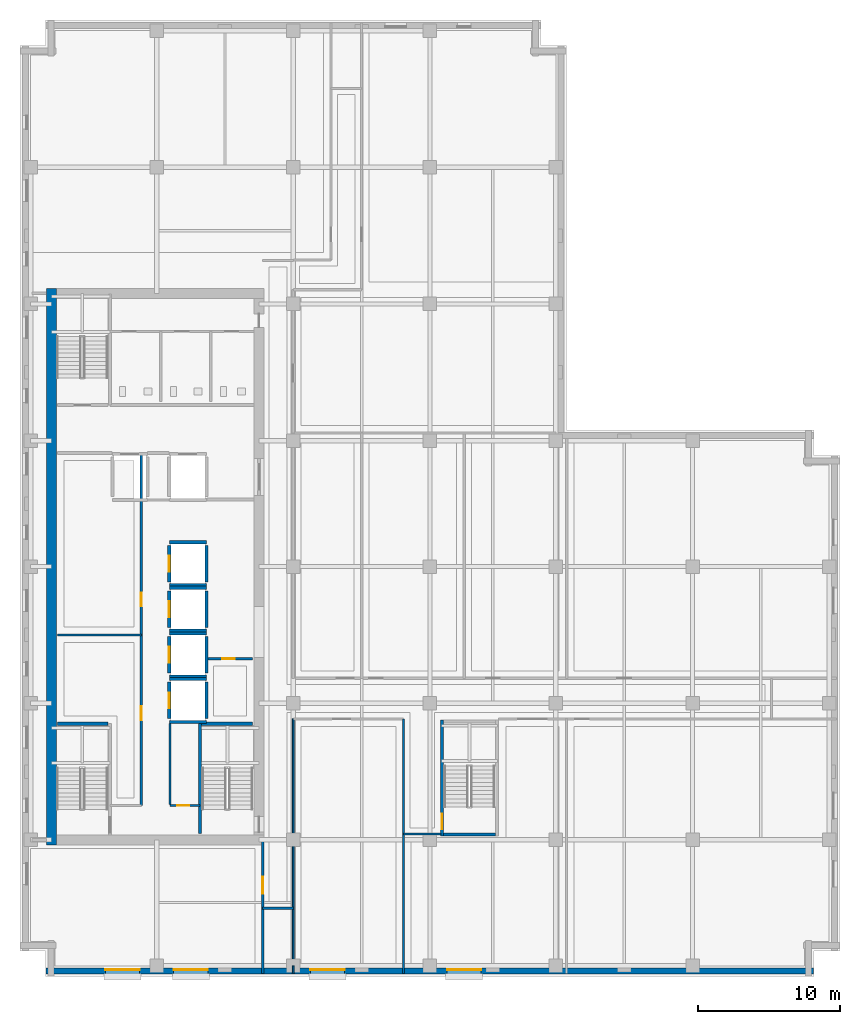
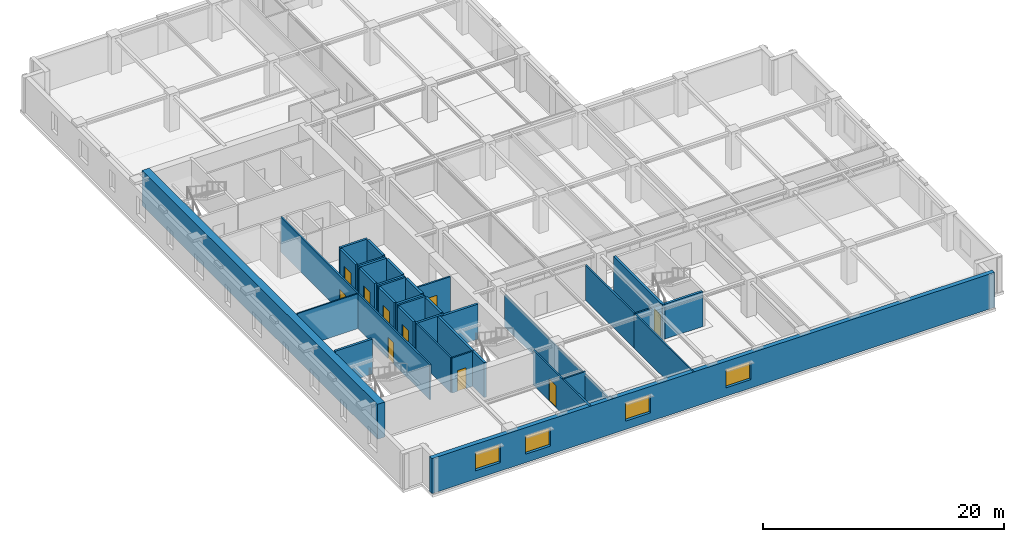
# One storey, part 4 of 13: 35 walls, 10 doors, 4 windows, 14 openings.
"""IFC4 building model written with IfcOpenShell, lengths in metres."""

from ifc_helpers import new_model, si_unit, direction, frame, frame_2d, origin, place, context, subcontext, project, spatial, rectangle, extrude, material, layer, layer_set, type_object, element, fill, save


model = new_model("IFC4")

# Units and contexts
model_context = context("Model", 3, precision=1e-05, world=origin(), true_north=direction((0.0, 1.0)))
body_context = subcontext(model_context, "Body", "Model", "MODEL_VIEW")
ifc_project = project(units=[si_unit("LENGTHUNIT", "METRE"), si_unit("AREAUNIT", "SQUARE_METRE"), si_unit("VOLUMEUNIT", "CUBIC_METRE"), si_unit("PLANEANGLEUNIT", "RADIAN"), si_unit("MASSUNIT", "GRAM", prefix="KILO")], contexts=[model_context])

# Site, building, storey
site_placement = place(None, origin())
site = spatial("IfcSite", under=ifc_project, at=site_placement, CompositionType="ELEMENT")
building_placement = place(site_placement, origin())
building = spatial("IfcBuilding", under=site, at=building_placement, Name="Norrvale University Quadrangle", CompositionType="ELEMENT")
storey_placement = place(building_placement, frame((0.0, 0.0, 175.0)))
storey = spatial("IfcBuildingStorey", under=building, at=storey_placement, Name="L44", CompositionType="ELEMENT", Elevation=175.0)

# Wall, openings, windows
ifc_material_1 = material(Name="Buff Norman Clay Brick Masonry", Category="masonry")
ifc_layer_1 = layer(ifc_material_1, 0.419921875, Name="Buff Norman Clay Brick Masonry")
ifc_layer_set_1 = layer_set([ifc_layer_1], Name="Buff Norman Clay Brick Masonry")
wall_type_1 = type_object("IfcWallType", Name="Wall Buff Brick 420", PredefinedType="SOLIDWALL", material=ifc_layer_set_1)
wall_1_placement = place(storey_placement, frame((1.840087890625, 0.389892578125, 0.0), z_axis=(0.0, 0.0, 1.0), x_axis=(1.0, 0.0, 0.0)))
wall_1 = element("IfcWall", 1, at=wall_1_placement, inside=storey, type_object=wall_type_1, Name="Exterior Brick Facade Wall L44-01.1", PredefinedType="SOLIDWALL", context=body_context, shape_type="SweptSolid", body=[
    extrude(rectangle(XDim=53.919921875, YDim=0.419921875, at=frame_2d((26.9599609375, 0.0))), origin(), (0.0, 0.0, 1.0), 3.5400390625),
])
opening_1_placement = place(wall_1_placement, frame((4.159912109375, 0.0, 0.85009765625)))
opening_1 = element("IfcOpeningElement", 2, at=opening_1_placement, cuts=wall_1, Name="Opening W02", PredefinedType="OPENING", context=body_context, shape_type="SweptSolid", body=[
    extrude(rectangle(XDim=2.39990234375, YDim=1.85009765625, at=frame_2d((1.199951171875, 0.925048828125))), frame((0.0, 0.221923828125, 0.0), z_axis=(0.0, -1.0, 0.0), x_axis=(1.0, 0.0, 0.0)), (0.0, 0.0, 1.0), 0.44384765625),
])
opening_2_placement = place(wall_1_placement, frame((8.9599609375, 0.0, 0.85009765625)))
opening_2 = element("IfcOpeningElement", 3, at=opening_2_placement, cuts=wall_1, Name="Opening W02", PredefinedType="OPENING", context=body_context, shape_type="SweptSolid", body=[
    extrude(rectangle(XDim=2.39990234375, YDim=1.85009765625, at=frame_2d((1.199951171875, 0.925048828125))), frame((0.0, 0.221923828125, 0.0), z_axis=(0.0, -1.0, 0.0), x_axis=(1.0, 0.0, 0.0)), (0.0, 0.0, 1.0), 0.44384765625),
])
opening_3_placement = place(wall_1_placement, frame((18.56005859375, 0.0, 0.85009765625)))
opening_3 = element("IfcOpeningElement", 4, at=opening_3_placement, cuts=wall_1, Name="Opening W02", PredefinedType="OPENING", context=body_context, shape_type="SweptSolid", body=[
    extrude(rectangle(XDim=2.39990234375, YDim=1.85009765625, at=frame_2d((1.199951171875, 0.925048828125))), frame((0.0, 0.221923828125, 0.0), z_axis=(0.0, -1.0, 0.0), x_axis=(1.0, 0.0, 0.0)), (0.0, 0.0, 1.0), 0.44384765625),
])
opening_4_placement = place(wall_1_placement, frame((28.159912109375, 0.0, 0.85009765625)))
opening_4 = element("IfcOpeningElement", 5, at=opening_4_placement, cuts=wall_1, Name="Opening W02", PredefinedType="OPENING", context=body_context, shape_type="SweptSolid", body=[
    extrude(rectangle(XDim=2.39990234375, YDim=1.85009765625, at=frame_2d((1.199951171875, 0.925048828125))), frame((0.0, 0.221923828125, 0.0), z_axis=(0.0, -1.0, 0.0), x_axis=(1.0, 0.0, 0.0)), (0.0, 0.0, 1.0), 0.44384765625),
])
ifc_material_2 = material(Name="Triple Low-E Argon Glazing", Category="glass")
window_type = type_object("IfcWindowType", Name="Window Academic 2400x2300", PartitioningType="TRIPLE_PANEL_VERTICAL", PredefinedType="WINDOW", material=ifc_material_2)
window_1_placement = place(opening_1_placement, origin())
window_1 = element("IfcWindow", 6, at=window_1_placement, inside=storey, type_object=window_type, Name="Window Academic 2400x2300 WIN-L44-E01-1-01", OverallHeight=1.85009765625, OverallWidth=2.39990234375, PartitioningType="TRIPLE_PANEL_VERTICAL", PredefinedType="WINDOW", context=body_context, shape_type="SweptSolid", body=[
    extrude(rectangle(XDim=2.39990234375, YDim=1.85009765625, at=frame_2d((1.199951171875, 0.925048828125))), frame((0.0, 0.110107421875, 0.0), z_axis=(0.0, -1.0, 0.0), x_axis=(1.0, 0.0, 0.0)), (0.0, 0.0, 1.0), 0.06005859375),
])
fill(opening_1, window_1)
window_2_placement = place(opening_2_placement, origin())
window_2 = element("IfcWindow", 7, at=window_2_placement, inside=storey, type_object=window_type, Name="Window Academic 2400x2300 WIN-L44-E01-1-02", OverallHeight=1.85009765625, OverallWidth=2.39990234375, PartitioningType="TRIPLE_PANEL_VERTICAL", PredefinedType="WINDOW", context=body_context, shape_type="SweptSolid", body=[
    extrude(rectangle(XDim=2.39990234375, YDim=1.85009765625, at=frame_2d((1.199951171875, 0.925048828125))), frame((0.0, 0.110107421875, 0.0), z_axis=(0.0, -1.0, 0.0), x_axis=(1.0, 0.0, 0.0)), (0.0, 0.0, 1.0), 0.06005859375),
])
fill(opening_2, window_2)
window_3_placement = place(opening_3_placement, origin())
window_3 = element("IfcWindow", 8, at=window_3_placement, inside=storey, type_object=window_type, Name="Window Academic 2400x2300 WIN-L44-E01-1-03", OverallHeight=1.85009765625, OverallWidth=2.39990234375, PartitioningType="TRIPLE_PANEL_VERTICAL", PredefinedType="WINDOW", context=body_context, shape_type="SweptSolid", body=[
    extrude(rectangle(XDim=2.39990234375, YDim=1.85009765625, at=frame_2d((1.199951171875, 0.925048828125))), frame((0.0, 0.110107421875, 0.0), z_axis=(0.0, -1.0, 0.0), x_axis=(1.0, 0.0, 0.0)), (0.0, 0.0, 1.0), 0.06005859375),
])
fill(opening_3, window_3)
window_4_placement = place(opening_4_placement, origin())
window_4 = element("IfcWindow", 9, at=window_4_placement, inside=storey, type_object=window_type, Name="Window Academic 2400x2300 WIN-L44-E01-1-04", OverallHeight=1.85009765625, OverallWidth=2.39990234375, PartitioningType="TRIPLE_PANEL_VERTICAL", PredefinedType="WINDOW", context=body_context, shape_type="SweptSolid", body=[
    extrude(rectangle(XDim=2.39990234375, YDim=1.85009765625, at=frame_2d((1.199951171875, 0.925048828125))), frame((0.0, 0.110107421875, 0.0), z_axis=(0.0, -1.0, 0.0), x_axis=(1.0, 0.0, 0.0)), (0.0, 0.0, 1.0), 0.06005859375),
])
fill(opening_4, window_4)

# Walls
ifc_material_3 = material(Name="Concrete C60/75", Category="concrete")
ifc_layer_2 = layer(ifc_material_3, 0.699951171875, Name="Concrete C60/75")
ifc_layer_set_2 = layer_set([ifc_layer_2], Name="Concrete C60/75")
wall_type_2 = type_object("IfcWallType", Name="Wall Core 700", PredefinedType="SHEAR", material=ifc_layer_set_2)
wall_2_placement = place(storey_placement, frame((2.199951171875, 9.25, 0.0), z_axis=(0.0, 0.0, 1.0), x_axis=(0.0, 1.0, 0.0)))
element("IfcWall", 10, at=wall_2_placement, inside=storey, type_object=wall_type_2, Name="Tower Core Shear Wall L44-W", PredefinedType="SHEAR", context=body_context, shape_type="SweptSolid", body=[
    extrude(rectangle(XDim=39.10009765625, YDim=0.699951171875, at=frame_2d((19.550048828125, 0.0))), origin(), (0.0, 0.0, 1.0), 3.5400390625),
])
ifc_material_4 = material(Name="Standard Academic Gypsum Partition")
ifc_layer_3 = layer(ifc_material_4, 0.125, Name="Standard Academic Gypsum Partition")
ifc_layer_set_3 = layer_set([ifc_layer_3], Name="Standard Academic Gypsum Partition")
wall_type_3 = type_object("IfcWallType", Name="Wall Gypsum Academic 125", PredefinedType="PARTITIONING", material=ifc_layer_set_3)
wall_3_placement = place(storey_placement, frame((2.64990234375, 24.0, 0.0), z_axis=(0.0, 0.0, 1.0), x_axis=(1.0, 0.0, 0.0)))
element("IfcWall", 11, at=wall_3_placement, inside=storey, type_object=wall_type_3, Name="Interior Partition WL-L44-REC-M", PredefinedType="PARTITIONING", context=body_context, shape_type="SweptSolid", body=[
    extrude(rectangle(XDim=5.8701171875, YDim=0.125, at=frame_2d((2.93505859375, 0.0))), origin(), (0.0, 0.0, 1.0), 3.5400390625),
])
wall_4_placement = place(storey_placement, frame((19.199951171875, 0.219970703125, 0.0), z_axis=(0.0, 0.0, 1.0), x_axis=(0.0, 1.0, 0.0)))
element("IfcWall", 12, at=wall_4_placement, inside=storey, type_object=wall_type_3, Name="Interior Partition WL-L44-SE-W0", PredefinedType="PARTITIONING", context=body_context, shape_type="SweptSolid", body=[
    extrude(rectangle(XDim=0.530029296875, YDim=0.125, at=frame_2d((0.26513671875, 0.0))), origin(), (0.0, 0.0, 1.0), 3.5400390625),
])
wall_5_placement = place(storey_placement, frame((19.199951171875, 0.75, 0.0), z_axis=(0.0, 0.0, 1.0), x_axis=(0.0, 1.0, 0.0)))
element("IfcWall", 13, at=wall_5_placement, inside=storey, type_object=wall_type_3, Name="Interior Partition WL-L44-SE-W0-B2", PredefinedType="PARTITIONING", context=body_context, shape_type="SweptSolid", body=[
    extrude(rectangle(XDim=17.35009765625, YDim=0.125, at=frame_2d((8.675048828125, 0.0))), origin(), (0.0, 0.0, 1.0), 3.23193359375),
])
wall_6_placement = place(storey_placement, frame((26.949951171875, 0.219970703125, 0.0), z_axis=(0.0, 0.0, 1.0), x_axis=(0.0, 1.0, 0.0)))
element("IfcWall", 14, at=wall_6_placement, inside=storey, type_object=wall_type_3, Name="Interior Partition WL-L44-SEP1A", PredefinedType="PARTITIONING", context=body_context, shape_type="SweptSolid", body=[
    extrude(rectangle(XDim=9.780029296875, YDim=0.125, at=frame_2d((4.89013671875, 0.0))), origin(), (0.0, 0.0, 1.0), 3.5400390625),
])

# Wall, opening, door
ifc_material_5 = material(Name="Fire-Rated Gypsum Stud Partition")
ifc_layer_4 = layer(ifc_material_5, 0.14990234375, Name="Fire-Rated Gypsum Stud Partition")
ifc_layer_set_4 = layer_set([ifc_layer_4], Name="Fire-Rated Gypsum Stud Partition")
wall_type_4 = type_object("IfcWallType", Name="Wall Gypsum Corridor 150", PredefinedType="PARTITIONING", material=ifc_layer_set_4)
wall_7_placement = place(storey_placement, frame((10.550048828125, 12.02001953125, 0.0), z_axis=(0.0, 0.0, 1.0), x_axis=(1.0, 0.0, 0.0)))
wall_7 = element("IfcWall", 15, at=wall_7_placement, inside=storey, type_object=wall_type_4, Name="Interior Partition WL-L44-SC-NR", PredefinedType="PARTITIONING", context=body_context, shape_type="SweptSolid", body=[
    extrude(rectangle(XDim=2.079833984375, YDim=0.14990234375, at=frame_2d((1.0400390625, 0.0))), origin(), (0.0, 0.0, 1.0), 3.5400390625),
])
opening_5_placement = place(wall_7_placement, frame((0.5, 0.0, 0.0)))
opening_5 = element("IfcOpeningElement", 16, at=opening_5_placement, cuts=wall_7, Name="Opening D10", PredefinedType="OPENING", context=body_context, shape_type="SweptSolid", body=[
    extrude(rectangle(XDim=0.85009765625, YDim=2.10009765625, at=frame_2d((0.425048828125, 1.050048828125))), frame((0.0, 0.0869140625, 0.0), z_axis=(0.0, -1.0, 0.0), x_axis=(1.0, 0.0, 0.0)), (0.0, 0.0, 1.0), 0.173828125),
])
ifc_material_6 = material(Name="Hollow Steel 350W Riser Fire Door", Category="steel")
door_type_1 = type_object("IfcDoorType", Name="Door Riser 850x2100", OperationType="NOTDEFINED", PredefinedType="DOOR", material=ifc_material_6)
door_1_placement = place(opening_5_placement, origin())
door_1 = element("IfcDoor", 17, at=door_1_placement, inside=storey, type_object=door_type_1, Name="Door Riser 850x2100 DR-L44-IDF", OperationType="SINGLE_SWING_RIGHT", OverallHeight=2.10009765625, OverallWidth=0.85009765625, PredefinedType="DOOR", context=body_context, shape_type="SweptSolid", body=[
    extrude(rectangle(XDim=0.85009765625, YDim=2.10009765625, at=frame_2d((0.425048828125, 1.050048828125))), frame((0.0, 0.02490234375, 0.0), z_axis=(0.0, -1.0, 0.0), x_axis=(1.0, 0.0, 0.0)), (0.0, 0.0, 1.0), 0.050048828125),
])
fill(opening_5, door_1)

# Wall
wall_8_placement = place(storey_placement, frame((10.550048828125, 12.094970703125, 0.0), z_axis=(0.0, 0.0, 1.0), x_axis=(0.0, 1.0, 0.0)))
element("IfcWall", 18, at=wall_8_placement, inside=storey, type_object=wall_type_4, Name="Interior Partition WL-L44-SC-WR", PredefinedType="PARTITIONING", context=body_context, shape_type="SweptSolid", body=[
    extrude(rectangle(XDim=5.679931640625, YDim=0.14990234375, at=frame_2d((2.83984375, 0.0))), origin(), (0.0, 0.0, 1.0), 3.5400390625),
])

# Wall, opening, door
wall_9_placement = place(storey_placement, frame((13.22509765625, 22.320068359375, 0.0), z_axis=(0.0, 0.0, 1.0), x_axis=(1.0, 0.0, 0.0)))
wall_9 = element("IfcWall", 19, at=wall_9_placement, inside=storey, type_object=wall_type_4, Name="Interior Partition WL-L44-JAN-N", PredefinedType="PARTITIONING", context=body_context, shape_type="SweptSolid", body=[
    extrude(rectangle(XDim=3.119873046875, YDim=0.14990234375, at=frame_2d((1.56005859375, 0.0))), origin(), (0.0, 0.0, 1.0), 3.5400390625),
])
opening_6_placement = place(wall_9_placement, frame((1.0, 0.0, 0.0)))
opening_6 = element("IfcOpeningElement", 20, at=opening_6_placement, cuts=wall_9, Name="Opening D10", PredefinedType="OPENING", context=body_context, shape_type="SweptSolid", body=[
    extrude(rectangle(XDim=0.85009765625, YDim=2.10009765625, at=frame_2d((0.425048828125, 1.050048828125))), frame((0.0, 0.0869140625, 0.0), z_axis=(0.0, -1.0, 0.0), x_axis=(1.0, 0.0, 0.0)), (0.0, 0.0, 1.0), 0.173828125),
])
door_2_placement = place(opening_6_placement, origin())
door_2 = element("IfcDoor", 21, at=door_2_placement, inside=storey, type_object=door_type_1, Name="Door Riser 850x2100 DR-L44-JAN", OperationType="SINGLE_SWING_LEFT", OverallHeight=2.10009765625, OverallWidth=0.85009765625, PredefinedType="DOOR", context=body_context, shape_type="SweptSolid", body=[
    extrude(rectangle(XDim=0.85009765625, YDim=2.10009765625, at=frame_2d((0.425048828125, 1.050048828125))), frame((0.0, 0.02490234375, 0.0), z_axis=(0.0, -1.0, 0.0), x_axis=(1.0, 0.0, 0.0)), (0.0, 0.0, 1.0), 0.050048828125),
])
fill(opening_6, door_2)

# Wall, openings, doors
wall_10_placement = place(storey_placement, frame((8.52001953125, 12.02001953125, 0.0), z_axis=(0.0, 0.0, 1.0), x_axis=(0.0, 1.0, 0.0)))
wall_10 = element("IfcWall", 22, at=wall_10_placement, inside=storey, type_object=wall_type_4, Name="Interior Partition WL-L44-REC-E", PredefinedType="PARTITIONING", context=body_context, shape_type="SweptSolid", body=[
    extrude(rectangle(XDim=24.760009765625, YDim=0.14990234375, at=frame_2d((12.3798828125, 0.0))), origin(), (0.0, 0.0, 1.0), 3.5400390625),
])
opening_7_placement = place(wall_10_placement, frame((6.0, 0.0, 0.0)))
opening_7 = element("IfcOpeningElement", 23, at=opening_7_placement, cuts=wall_10, Name="Opening D07", PredefinedType="OPENING", context=body_context, shape_type="SweptSolid", body=[
    extrude(rectangle(XDim=0.949951171875, YDim=2.14990234375, at=frame_2d((0.47509765625, 1.074951171875))), frame((0.0, 0.0869140625, 0.0), z_axis=(0.0, -1.0, 0.0), x_axis=(1.0, 0.0, 0.0)), (0.0, 0.0, 1.0), 0.173828125),
])
opening_8_placement = place(wall_10_placement, frame((14.0, 0.0, 0.0)))
opening_8 = element("IfcOpeningElement", 24, at=opening_8_placement, cuts=wall_10, Name="Opening D07", PredefinedType="OPENING", context=body_context, shape_type="SweptSolid", body=[
    extrude(rectangle(XDim=0.949951171875, YDim=2.14990234375, at=frame_2d((0.47509765625, 1.074951171875))), frame((0.0, 0.0869140625, 0.0), z_axis=(0.0, -1.0, 0.0), x_axis=(1.0, 0.0, 0.0)), (0.0, 0.0, 1.0), 0.173828125),
])
ifc_material_7 = material(Name="Solid-Core Maple Door", Category="wood")
door_type_2 = type_object("IfcDoorType", Name="Door Office 950x2150", OperationType="NOTDEFINED", PredefinedType="DOOR", material=ifc_material_7)
door_3_placement = place(opening_7_placement, origin())
door_3 = element("IfcDoor", 25, at=door_3_placement, inside=storey, type_object=door_type_2, Name="Door Office 950x2150 DR-L44-REC1", OperationType="SINGLE_SWING_LEFT", OverallHeight=2.14990234375, OverallWidth=0.949951171875, PredefinedType="DOOR", context=body_context, shape_type="SweptSolid", body=[
    extrude(rectangle(XDim=0.949951171875, YDim=2.14990234375, at=frame_2d((0.47509765625, 1.074951171875))), frame((0.0, 0.02490234375, 0.0), z_axis=(0.0, -1.0, 0.0), x_axis=(1.0, 0.0, 0.0)), (0.0, 0.0, 1.0), 0.050048828125),
])
fill(opening_7, door_3)
door_4_placement = place(opening_8_placement, origin())
door_4 = element("IfcDoor", 26, at=door_4_placement, inside=storey, type_object=door_type_2, Name="Door Office 950x2150 DR-L44-REC2", OperationType="SINGLE_SWING_RIGHT", OverallHeight=2.14990234375, OverallWidth=0.949951171875, PredefinedType="DOOR", context=body_context, shape_type="SweptSolid", body=[
    extrude(rectangle(XDim=0.949951171875, YDim=2.14990234375, at=frame_2d((0.47509765625, 1.074951171875))), frame((0.0, 0.02490234375, 0.0), z_axis=(0.0, -1.0, 0.0), x_axis=(1.0, 0.0, 0.0)), (0.0, 0.0, 1.0), 0.050048828125),
])
fill(opening_8, door_4)

# Wall
wall_11_placement = place(storey_placement, frame((17.050048828125, 4.800048828125, 0.0), z_axis=(0.0, 0.0, 1.0), x_axis=(1.0, 0.0, 0.0)))
element("IfcWall", 27, at=wall_11_placement, inside=storey, type_object=wall_type_4, Name="Interior Partition WL-L44-CSP-S", PredefinedType="PARTITIONING", context=body_context, shape_type="SweptSolid", body=[
    extrude(rectangle(XDim=2.14990234375, YDim=0.14990234375, at=frame_2d((1.074951171875, 0.0))), origin(), (0.0, 0.0, 1.0), 3.5400390625),
])

# Wall, opening, door
wall_12_placement = place(storey_placement, frame((17.050048828125, 0.219970703125, 0.0), z_axis=(0.0, 0.0, 1.0), x_axis=(0.0, 1.0, 0.0)))
wall_12 = element("IfcWall", 28, at=wall_12_placement, inside=storey, type_object=wall_type_4, Name="Interior Partition WL-L44-SW-E", PredefinedType="PARTITIONING", context=body_context, shape_type="SweptSolid", body=[
    extrude(rectangle(XDim=9.380126953125, YDim=0.14990234375, at=frame_2d((4.68994140625, 0.0))), origin(), (0.0, 0.0, 1.0), 3.5400390625),
])
opening_9_placement = place(wall_12_placement, frame((5.580078125, 0.0, 0.0)))
opening_9 = element("IfcOpeningElement", 29, at=opening_9_placement, cuts=wall_12, Name="Opening D05", PredefinedType="OPENING", context=body_context, shape_type="SweptSolid", body=[
    extrude(rectangle(XDim=1.199951171875, YDim=2.199951171875, at=frame_2d((0.60009765625, 1.10009765625))), frame((0.0, 0.0869140625, 0.0), z_axis=(0.0, -1.0, 0.0), x_axis=(1.0, 0.0, 0.0)), (0.0, 0.0, 1.0), 0.173828125),
])
ifc_material_8 = material(Name="Acoustic Oak Classroom Door", Category="wood")
door_type_3 = type_object("IfcDoorType", Name="Door Classroom 1200x2200", OperationType="NOTDEFINED", PredefinedType="DOOR", material=ifc_material_8)
door_5_placement = place(opening_9_placement, origin())
door_5 = element("IfcDoor", 30, at=door_5_placement, inside=storey, type_object=door_type_3, Name="Door Classroom 1200x2200 DR-L44-SW1", OperationType="SINGLE_SWING_LEFT", OverallHeight=2.199951171875, OverallWidth=1.199951171875, PredefinedType="DOOR", context=body_context, shape_type="SweptSolid", body=[
    extrude(rectangle(XDim=1.199951171875, YDim=2.199951171875, at=frame_2d((0.60009765625, 1.10009765625))), frame((0.0, 0.02490234375, 0.0), z_axis=(0.0, -1.0, 0.0), x_axis=(1.0, 0.0, 0.0)), (0.0, 0.0, 1.0), 0.050048828125),
])
fill(opening_9, door_5)

# Walls
wall_13_placement = place(storey_placement, frame((26.949951171875, 10.0, 0.0), z_axis=(0.0, 0.0, 1.0), x_axis=(0.0, 1.0, 0.0)))
element("IfcWall", 31, at=wall_13_placement, inside=storey, type_object=wall_type_4, Name="Interior Partition WL-L44-SEP1B", PredefinedType="PARTITIONING", context=body_context, shape_type="SweptSolid", body=[
    extrude(rectangle(XDim=8.10009765625, YDim=0.14990234375, at=frame_2d((4.050048828125, 0.0))), origin(), (0.0, 0.0, 1.0), 3.5400390625),
])
wall_14_placement = place(storey_placement, frame((26.949951171875, 10.0, 0.0), z_axis=(0.0, 0.0, 1.0), x_axis=(1.0, 0.0, 0.0)))
element("IfcWall", 32, at=wall_14_placement, inside=storey, type_object=wall_type_4, Name="Interior Partition WL-L44-SEP1C", PredefinedType="PARTITIONING", context=body_context, shape_type="SweptSolid", body=[
    extrude(rectangle(XDim=2.630126953125, YDim=0.14990234375, at=frame_2d((1.31494140625, 0.0))), origin(), (0.0, 0.0, 1.0), 3.5400390625),
])
ifc_material_9 = material(Name="Concrete Blockwork 20 MPa Fire Shaft", Category="masonry")
ifc_layer_5 = layer(ifc_material_9, 0.219970703125, Name="Concrete Blockwork 20 MPa Fire Shaft")
ifc_layer_set_5 = layer_set([ifc_layer_5], Name="Concrete Blockwork 20 MPa Fire Shaft")
wall_type_5 = type_object("IfcWallType", Name="Wall Shaft 220", PredefinedType="SOLIDWALL", material=ifc_layer_set_5)
wall_15_placement = place(storey_placement, frame((2.64990234375, 17.760009765625, 0.0), z_axis=(0.0, 0.0, 1.0), x_axis=(1.0, 0.0, 0.0)))
element("IfcWall", 33, at=wall_15_placement, inside=storey, type_object=wall_type_5, Name="Stair ST-01 North Shaft Wall L44", PredefinedType="SOLIDWALL", context=body_context, shape_type="SweptSolid", body=[
    extrude(rectangle(XDim=3.550048828125, YDim=0.219970703125, at=frame_2d((1.77490234375, 0.0))), origin(), (0.0, 0.0, 1.0), 3.5400390625),
])
wall_16_placement = place(storey_placement, frame((12.639892578125, 10.050048828125, 0.0), z_axis=(0.0, 0.0, 1.0), x_axis=(0.0, 1.0, 0.0)))
element("IfcWall", 34, at=wall_16_placement, inside=storey, type_object=wall_type_5, Name="Stair ST-03 West Shaft Wall L44", PredefinedType="SOLIDWALL", context=body_context, shape_type="SweptSolid", body=[
    extrude(rectangle(XDim=7.7099609375, YDim=0.219970703125, at=frame_2d((3.85498046875, 0.0))), origin(), (0.0, 0.0, 1.0), 3.5400390625),
])
wall_17_placement = place(storey_placement, frame((12.75, 17.760009765625, 0.0), z_axis=(0.0, 0.0, 1.0), x_axis=(1.0, 0.0, 0.0)))
element("IfcWall", 35, at=wall_17_placement, inside=storey, type_object=wall_type_5, Name="Stair ST-03 North Shaft Wall L44", PredefinedType="SOLIDWALL", context=body_context, shape_type="SweptSolid", body=[
    extrude(rectangle(XDim=3.60009765625, YDim=0.219970703125, at=frame_2d((1.800048828125, 0.0))), origin(), (0.0, 0.0, 1.0), 3.5400390625),
])
wall_18_placement = place(storey_placement, frame((29.75, 9.989990234375, 0.0), z_axis=(0.0, 0.0, 1.0), x_axis=(1.0, 0.0, 0.0)))
element("IfcWall", 36, at=wall_18_placement, inside=storey, type_object=wall_type_5, Name="Stair ST-04 South Shaft Wall L44", PredefinedType="SOLIDWALL", context=body_context, shape_type="SweptSolid", body=[
    extrude(rectangle(XDim=3.64990234375, YDim=0.219970703125, at=frame_2d((1.824951171875, 0.0))), origin(), (0.0, 0.0, 1.0), 3.5400390625),
])

# Wall, opening, door
wall_19_placement = place(storey_placement, frame((29.639892578125, 9.8798828125, 0.0), z_axis=(0.0, 0.0, 1.0), x_axis=(0.0, 1.0, 0.0)))
wall_19 = element("IfcWall", 37, at=wall_19_placement, inside=storey, type_object=wall_type_5, Name="Stair ST-04 West Shaft Wall L44", PredefinedType="SOLIDWALL", context=body_context, shape_type="SweptSolid", body=[
    extrude(rectangle(XDim=8.14013671875, YDim=0.219970703125, at=frame_2d((4.070068359375, 0.0))), origin(), (0.0, 0.0, 1.0), 3.5400390625),
])
opening_10_placement = place(wall_19_placement, frame((0.469970703125, 0.0, 0.0)))
opening_10 = element("IfcOpeningElement", 38, at=opening_10_placement, cuts=wall_19, Name="Opening D02", PredefinedType="OPENING", context=body_context, shape_type="SweptSolid", body=[
    extrude(rectangle(XDim=1.10009765625, YDim=2.199951171875, at=frame_2d((0.550048828125, 1.10009765625))), frame((0.0, 0.1220703125, 0.0), z_axis=(0.0, -1.0, 0.0), x_axis=(1.0, 0.0, 0.0)), (0.0, 0.0, 1.0), 0.243896484375),
])
ifc_material_10 = material(Name="Hollow Steel 350W Fire Door", Category="steel")
door_type_4 = type_object("IfcDoorType", Name="Door Stair Exit 1100x2200", OperationType="NOTDEFINED", PredefinedType="DOOR", material=ifc_material_10)
door_6_placement = place(opening_10_placement, frame((1.10009765625, 0.0, 0.0), z_axis=(0.0, 0.0, 1.0), x_axis=(-1.0, 0.0, 0.0)))
door_6 = element("IfcDoor", 39, at=door_6_placement, inside=storey, type_object=door_type_4, Name="Door Stair Exit 1100x2200 DR-L44-ST04", OperationType="SINGLE_SWING_RIGHT", OverallHeight=2.199951171875, OverallWidth=1.10009765625, PredefinedType="DOOR", context=body_context, shape_type="SweptSolid", body=[
    extrude(rectangle(XDim=1.10009765625, YDim=2.199951171875, at=frame_2d((0.550048828125, 1.10009765625))), frame((0.0, 0.02490234375, 0.0), z_axis=(0.0, -1.0, 0.0), x_axis=(1.0, 0.0, 0.0)), (0.0, 0.0, 1.0), 0.050048828125),
])
fill(opening_10, door_6)

wall_20_placement = place(storey_placement, frame((10.489990234375, 18.110107421875, 0.0), z_axis=(0.0, 0.0, 1.0), x_axis=(0.0, 1.0, 0.0)))
wall_20 = element("IfcWall", 40, at=wall_20_placement, inside=storey, type_object=wall_type_5, Name="Hoistway PL-05 West Wall L44", PredefinedType="SOLIDWALL", context=body_context, shape_type="SweptSolid", body=[
    extrude(rectangle(XDim=2.579833984375, YDim=0.219970703125, at=frame_2d((1.2900390625, 0.0))), origin(), (0.0, 0.0, 1.0), 3.5400390625),
])
opening_11_placement = place(wall_20_placement, frame((0.739990234375, 0.0, 0.0)))
opening_11 = element("IfcOpeningElement", 41, at=opening_11_placement, cuts=wall_20, Name="Opening LD1", PredefinedType="OPENING", context=body_context, shape_type="SweptSolid", body=[
    extrude(rectangle(XDim=1.10009765625, YDim=2.199951171875, at=frame_2d((0.550048828125, 1.10009765625))), frame((0.0, 0.1220703125, 0.0), z_axis=(0.0, -1.0, 0.0), x_axis=(1.0, 0.0, 0.0)), (0.0, 0.0, 1.0), 0.243896484375),
])
ifc_material_11 = material(Name="Stainless Steel 316L Lift Landing Door", Category="steel")
door_type_5 = type_object("IfcDoorType", Name="Door Lift Landing 1100x2200", OperationType="DOUBLE_DOOR_SLIDING", PredefinedType="DOOR", material=ifc_material_11)
door_7_placement = place(opening_11_placement, origin())
door_7 = element("IfcDoor", 42, at=door_7_placement, inside=storey, type_object=door_type_5, Name="Elevator Landing Door DR-L44-PL-05", OperationType="DOUBLE_DOOR_SLIDING", OverallHeight=2.199951171875, OverallWidth=1.10009765625, PredefinedType="DOOR", context=body_context, shape_type="SweptSolid", body=[
    extrude(rectangle(XDim=1.10009765625, YDim=2.199951171875, at=frame_2d((0.550048828125, 1.10009765625))), frame((0.0, 0.02490234375, 0.0), z_axis=(0.0, -1.0, 0.0), x_axis=(1.0, 0.0, 0.0)), (0.0, 0.0, 1.0), 0.050048828125),
])
fill(opening_11, door_7)

# Walls
wall_21_placement = place(storey_placement, frame((13.110107421875, 18.110107421875, 0.0), z_axis=(0.0, 0.0, 1.0), x_axis=(0.0, 1.0, 0.0)))
element("IfcWall", 43, at=wall_21_placement, inside=storey, type_object=wall_type_5, Name="Hoistway PL-05 East Wall L44", PredefinedType="SOLIDWALL", context=body_context, shape_type="SweptSolid", body=[
    extrude(rectangle(XDim=2.579833984375, YDim=0.219970703125, at=frame_2d((1.2900390625, 0.0))), origin(), (0.0, 0.0, 1.0), 3.5400390625),
])
for number, where, z_axis, x_axis, name in (
    (44, (10.489990234375, 17.889892578125, 0.0), (0.0, 0.0, 1.0), (1.0, 0.0, 0.0), "Hoistway PL-05 South Wall L44"),
    (45, (10.489990234375, 20.909912109375, 0.0), (0.0, 0.0, 1.0), (1.0, 0.0, 0.0), "Hoistway PL-05 North Wall L44"),
):
    element("IfcWall", number, at=place(storey_placement, frame(where, z_axis=z_axis, x_axis=x_axis)), inside=storey, type_object=wall_type_5, Name=name, PredefinedType="SOLIDWALL", context=body_context, shape_type="SweptSolid", body=[
        extrude(rectangle(XDim=2.6201171875, YDim=0.219970703125, at=frame_2d((1.31005859375, 0.0))), origin(), (0.0, 0.0, 1.0), 3.5400390625),
    ])

# Wall, opening, door
wall_22_placement = place(storey_placement, frame((10.489990234375, 21.31005859375, 0.0), z_axis=(0.0, 0.0, 1.0), x_axis=(0.0, 1.0, 0.0)))
wall_22 = element("IfcWall", 46, at=wall_22_placement, inside=storey, type_object=wall_type_5, Name="Hoistway PL-06 West Wall L44", PredefinedType="SOLIDWALL", context=body_context, shape_type="SweptSolid", body=[
    extrude(rectangle(XDim=2.579833984375, YDim=0.219970703125, at=frame_2d((1.2900390625, 0.0))), origin(), (0.0, 0.0, 1.0), 3.5400390625),
])
opening_12_placement = place(wall_22_placement, frame((0.739990234375, 0.0, 0.0)))
opening_12 = element("IfcOpeningElement", 47, at=opening_12_placement, cuts=wall_22, Name="Opening LD1", PredefinedType="OPENING", context=body_context, shape_type="SweptSolid", body=[
    extrude(rectangle(XDim=1.10009765625, YDim=2.199951171875, at=frame_2d((0.550048828125, 1.10009765625))), frame((0.0, 0.1220703125, 0.0), z_axis=(0.0, -1.0, 0.0), x_axis=(1.0, 0.0, 0.0)), (0.0, 0.0, 1.0), 0.243896484375),
])
door_8_placement = place(opening_12_placement, origin())
door_8 = element("IfcDoor", 48, at=door_8_placement, inside=storey, type_object=door_type_5, Name="Elevator Landing Door DR-L44-PL-06", OperationType="DOUBLE_DOOR_SLIDING", OverallHeight=2.199951171875, OverallWidth=1.10009765625, PredefinedType="DOOR", context=body_context, shape_type="SweptSolid", body=[
    extrude(rectangle(XDim=1.10009765625, YDim=2.199951171875, at=frame_2d((0.550048828125, 1.10009765625))), frame((0.0, 0.02490234375, 0.0), z_axis=(0.0, -1.0, 0.0), x_axis=(1.0, 0.0, 0.0)), (0.0, 0.0, 1.0), 0.050048828125),
])
fill(opening_12, door_8)

# Walls
wall_23_placement = place(storey_placement, frame((13.110107421875, 21.31005859375, 0.0), z_axis=(0.0, 0.0, 1.0), x_axis=(0.0, 1.0, 0.0)))
element("IfcWall", 49, at=wall_23_placement, inside=storey, type_object=wall_type_5, Name="Hoistway PL-06 East Wall L44", PredefinedType="SOLIDWALL", context=body_context, shape_type="SweptSolid", body=[
    extrude(rectangle(XDim=2.579833984375, YDim=0.219970703125, at=frame_2d((1.2900390625, 0.0))), origin(), (0.0, 0.0, 1.0), 3.5400390625),
])
for number, where, z_axis, x_axis, name in (
    (50, (10.489990234375, 21.090087890625, 0.0), (0.0, 0.0, 1.0), (1.0, 0.0, 0.0), "Hoistway PL-06 South Wall L44"),
    (51, (10.489990234375, 24.110107421875, 0.0), (0.0, 0.0, 1.0), (1.0, 0.0, 0.0), "Hoistway PL-06 North Wall L44"),
):
    element("IfcWall", number, at=place(storey_placement, frame(where, z_axis=z_axis, x_axis=x_axis)), inside=storey, type_object=wall_type_5, Name=name, PredefinedType="SOLIDWALL", context=body_context, shape_type="SweptSolid", body=[
        extrude(rectangle(XDim=2.6201171875, YDim=0.219970703125, at=frame_2d((1.31005859375, 0.0))), origin(), (0.0, 0.0, 1.0), 3.5400390625),
    ])

# Wall, opening, door
wall_24_placement = place(storey_placement, frame((10.489990234375, 24.510009765625, 0.0), z_axis=(0.0, 0.0, 1.0), x_axis=(0.0, 1.0, 0.0)))
wall_24 = element("IfcWall", 52, at=wall_24_placement, inside=storey, type_object=wall_type_5, Name="Hoistway PL-07 West Wall L44", PredefinedType="SOLIDWALL", context=body_context, shape_type="SweptSolid", body=[
    extrude(rectangle(XDim=2.580078125, YDim=0.219970703125, at=frame_2d((1.2900390625, 0.0))), origin(), (0.0, 0.0, 1.0), 3.5400390625),
])
opening_13_placement = place(wall_24_placement, frame((0.739990234375, 0.0, 0.0)))
opening_13 = element("IfcOpeningElement", 53, at=opening_13_placement, cuts=wall_24, Name="Opening LD1", PredefinedType="OPENING", context=body_context, shape_type="SweptSolid", body=[
    extrude(rectangle(XDim=1.10009765625, YDim=2.199951171875, at=frame_2d((0.550048828125, 1.10009765625))), frame((0.0, 0.1220703125, 0.0), z_axis=(0.0, -1.0, 0.0), x_axis=(1.0, 0.0, 0.0)), (0.0, 0.0, 1.0), 0.243896484375),
])
door_9_placement = place(opening_13_placement, origin())
door_9 = element("IfcDoor", 54, at=door_9_placement, inside=storey, type_object=door_type_5, Name="Elevator Landing Door DR-L44-PL-07", OperationType="DOUBLE_DOOR_SLIDING", OverallHeight=2.199951171875, OverallWidth=1.10009765625, PredefinedType="DOOR", context=body_context, shape_type="SweptSolid", body=[
    extrude(rectangle(XDim=1.10009765625, YDim=2.199951171875, at=frame_2d((0.550048828125, 1.10009765625))), frame((0.0, 0.02490234375, 0.0), z_axis=(0.0, -1.0, 0.0), x_axis=(1.0, 0.0, 0.0)), (0.0, 0.0, 1.0), 0.050048828125),
])
fill(opening_13, door_9)

# Walls
wall_25_placement = place(storey_placement, frame((13.110107421875, 24.510009765625, 0.0), z_axis=(0.0, 0.0, 1.0), x_axis=(0.0, 1.0, 0.0)))
element("IfcWall", 55, at=wall_25_placement, inside=storey, type_object=wall_type_5, Name="Hoistway PL-07 East Wall L44", PredefinedType="SOLIDWALL", context=body_context, shape_type="SweptSolid", body=[
    extrude(rectangle(XDim=2.580078125, YDim=0.219970703125, at=frame_2d((1.2900390625, 0.0))), origin(), (0.0, 0.0, 1.0), 3.5400390625),
])
for number, where, z_axis, x_axis, name in (
    (56, (10.489990234375, 24.2900390625, 0.0), (0.0, 0.0, 1.0), (1.0, 0.0, 0.0), "Hoistway PL-07 South Wall L44"),
    (57, (10.489990234375, 27.31005859375, 0.0), (0.0, 0.0, 1.0), (1.0, 0.0, 0.0), "Hoistway PL-07 North Wall L44"),
):
    element("IfcWall", number, at=place(storey_placement, frame(where, z_axis=z_axis, x_axis=x_axis)), inside=storey, type_object=wall_type_5, Name=name, PredefinedType="SOLIDWALL", context=body_context, shape_type="SweptSolid", body=[
        extrude(rectangle(XDim=2.6201171875, YDim=0.219970703125, at=frame_2d((1.31005859375, 0.0))), origin(), (0.0, 0.0, 1.0), 3.5400390625),
    ])

# Wall, opening, door
wall_26_placement = place(storey_placement, frame((10.489990234375, 27.7099609375, 0.0), z_axis=(0.0, 0.0, 1.0), x_axis=(0.0, 1.0, 0.0)))
wall_26 = element("IfcWall", 58, at=wall_26_placement, inside=storey, type_object=wall_type_5, Name="Hoistway PL-08 West Wall L44", PredefinedType="SOLIDWALL", context=body_context, shape_type="SweptSolid", body=[
    extrude(rectangle(XDim=2.580078125, YDim=0.219970703125, at=frame_2d((1.2900390625, 0.0))), origin(), (0.0, 0.0, 1.0), 3.5400390625),
])
opening_14_placement = place(wall_26_placement, frame((0.739990234375, 0.0, 0.0)))
opening_14 = element("IfcOpeningElement", 59, at=opening_14_placement, cuts=wall_26, Name="Opening LD1", PredefinedType="OPENING", context=body_context, shape_type="SweptSolid", body=[
    extrude(rectangle(XDim=1.10009765625, YDim=2.199951171875, at=frame_2d((0.550048828125, 1.10009765625))), frame((0.0, 0.1220703125, 0.0), z_axis=(0.0, -1.0, 0.0), x_axis=(1.0, 0.0, 0.0)), (0.0, 0.0, 1.0), 0.243896484375),
])
door_10_placement = place(opening_14_placement, origin())
door_10 = element("IfcDoor", 60, at=door_10_placement, inside=storey, type_object=door_type_5, Name="Elevator Landing Door DR-L44-PL-08", OperationType="DOUBLE_DOOR_SLIDING", OverallHeight=2.199951171875, OverallWidth=1.10009765625, PredefinedType="DOOR", context=body_context, shape_type="SweptSolid", body=[
    extrude(rectangle(XDim=1.10009765625, YDim=2.199951171875, at=frame_2d((0.550048828125, 1.10009765625))), frame((0.0, 0.02490234375, 0.0), z_axis=(0.0, -1.0, 0.0), x_axis=(1.0, 0.0, 0.0)), (0.0, 0.0, 1.0), 0.050048828125),
])
fill(opening_14, door_10)

# Walls
wall_27_placement = place(storey_placement, frame((13.110107421875, 27.7099609375, 0.0), z_axis=(0.0, 0.0, 1.0), x_axis=(0.0, 1.0, 0.0)))
element("IfcWall", 61, at=wall_27_placement, inside=storey, type_object=wall_type_5, Name="Hoistway PL-08 East Wall L44", PredefinedType="SOLIDWALL", context=body_context, shape_type="SweptSolid", body=[
    extrude(rectangle(XDim=2.580078125, YDim=0.219970703125, at=frame_2d((1.2900390625, 0.0))), origin(), (0.0, 0.0, 1.0), 3.5400390625),
])
for number, where, z_axis, x_axis, name in (
    (62, (10.489990234375, 27.489990234375, 0.0), (0.0, 0.0, 1.0), (1.0, 0.0, 0.0), "Hoistway PL-08 South Wall L44"),
    (63, (10.489990234375, 30.510009765625, 0.0), (0.0, 0.0, 1.0), (1.0, 0.0, 0.0), "Hoistway PL-08 North Wall L44"),
):
    element("IfcWall", number, at=place(storey_placement, frame(where, z_axis=z_axis, x_axis=x_axis)), inside=storey, type_object=wall_type_5, Name=name, PredefinedType="SOLIDWALL", context=body_context, shape_type="SweptSolid", body=[
        extrude(rectangle(XDim=2.6201171875, YDim=0.219970703125, at=frame_2d((1.31005859375, 0.0))), origin(), (0.0, 0.0, 1.0), 3.5400390625),
    ])

save(model, "model.ifc")
